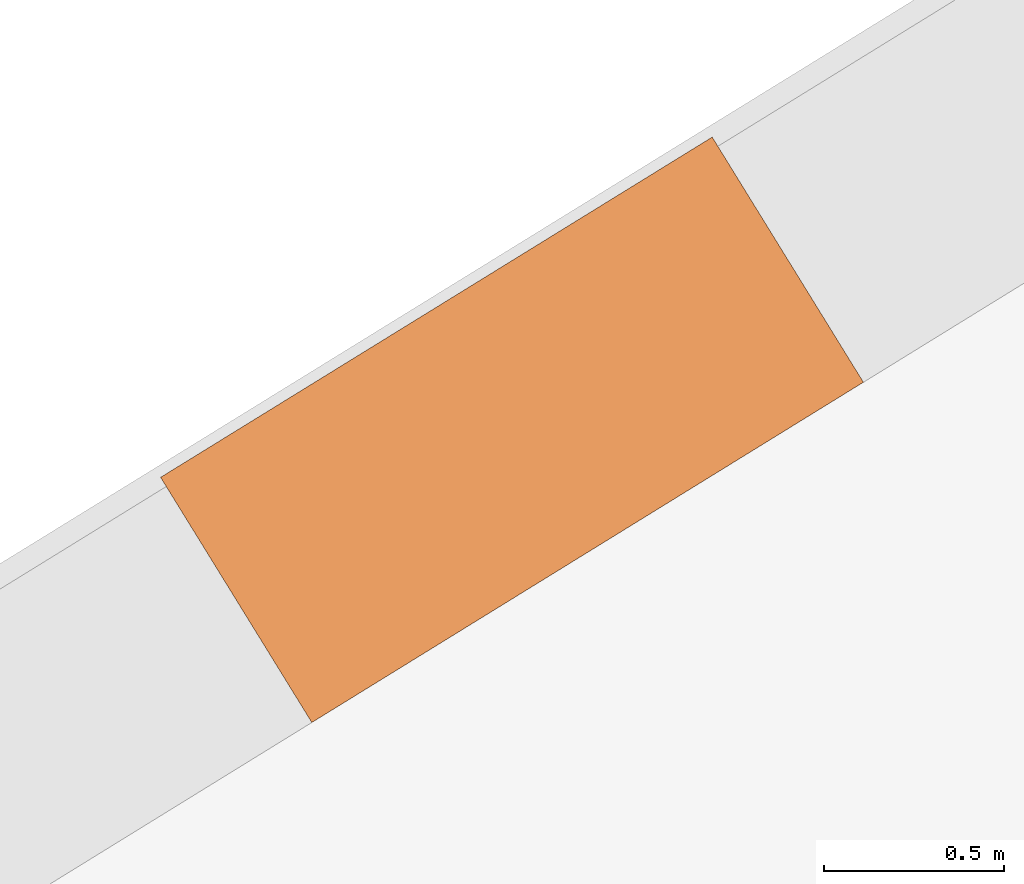
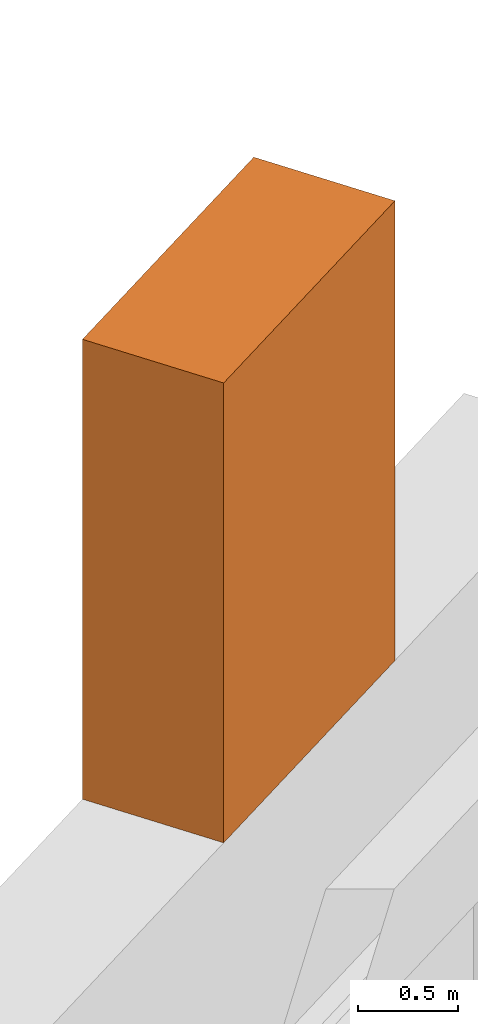
# One storey, part 22 of 22: 1 proxy.
"""IFC4 building model written with IfcOpenShell, lengths in metres."""

from ifc_helpers import new_model, si_unit, direction, frame, origin, origin_2d, place, context, subcontext, project, spatial, rectangle, extrude, element, save


model = new_model("IFC4")

# Units and contexts
model_context = context("Model", 3, precision=1e-05, world=origin(), true_north=direction((0.0, 1.0)))
body_context = subcontext(model_context, "Body", "Model", "MODEL_VIEW")
ifc_project = project(units=[si_unit("LENGTHUNIT", "METRE"), si_unit("AREAUNIT", "SQUARE_METRE"), si_unit("VOLUMEUNIT", "CUBIC_METRE"), si_unit("PLANEANGLEUNIT", "RADIAN"), si_unit("MASSUNIT", "GRAM", prefix="KILO")], contexts=[model_context])

# Site, building, storey
site_placement = place(None, origin())
site = spatial("IfcSite", under=ifc_project, at=site_placement, CompositionType="ELEMENT")
building_placement = place(site_placement, origin())
building = spatial("IfcBuilding", under=site, at=building_placement, Name="Cantera Rosa Tower", CompositionType="ELEMENT")
storey_placement = place(building_placement, frame((0.0, 0.0, 178.0)))
storey = spatial("IfcBuildingStorey", under=building, at=storey_placement, Name="L39", CompositionType="ELEMENT", Elevation=178.0)

# Proxy
proxy_placement = place(storey_placement, frame((-5.021240234375, 24.750732421875, 1.60009765625), z_axis=(0.0, 0.0, 1.0), x_axis=(-0.851116672434, -0.52497658034, 0.0)))
element("IfcBuildingElementProxy", 1, at=proxy_placement, inside=storey, Name="TREE L39-07", ObjectType="TREE", PredefinedType="USERDEFINED", context=body_context, shape_type="SweptSolid", body=[
    extrude(rectangle(XDim=1.800048828125, YDim=0.800048828125, at=origin_2d()), origin(), (0.0, 0.0, 1.0), 2.800048828125),
])

save(model, "model.ifc")
